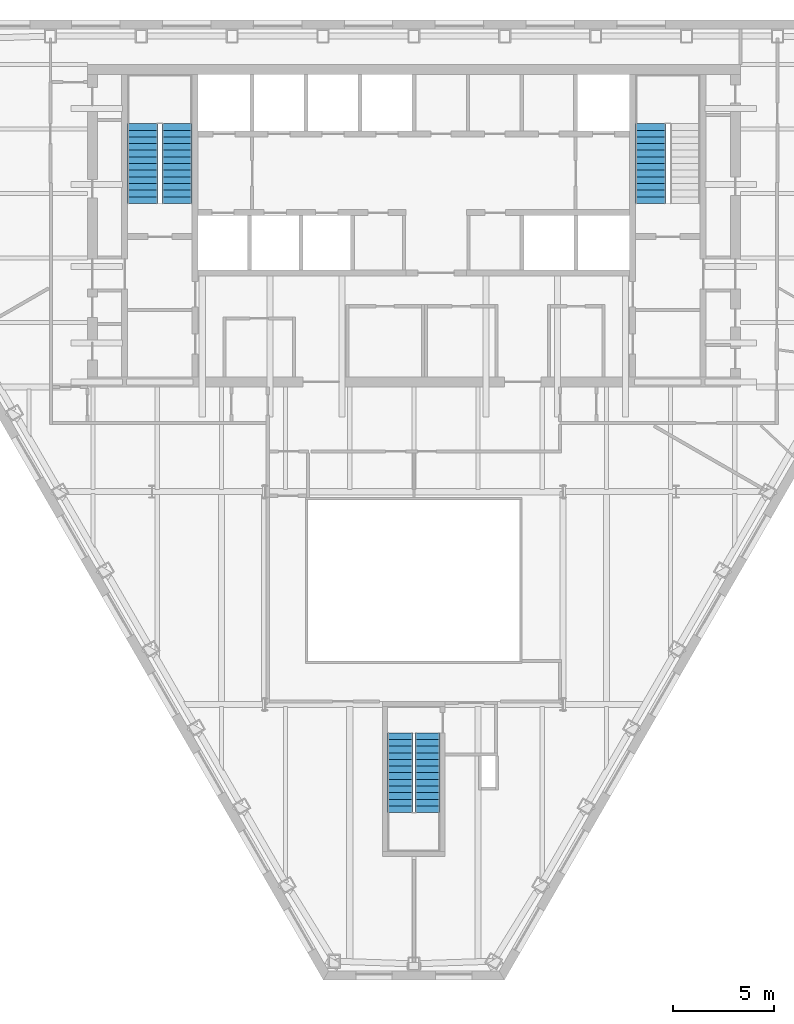
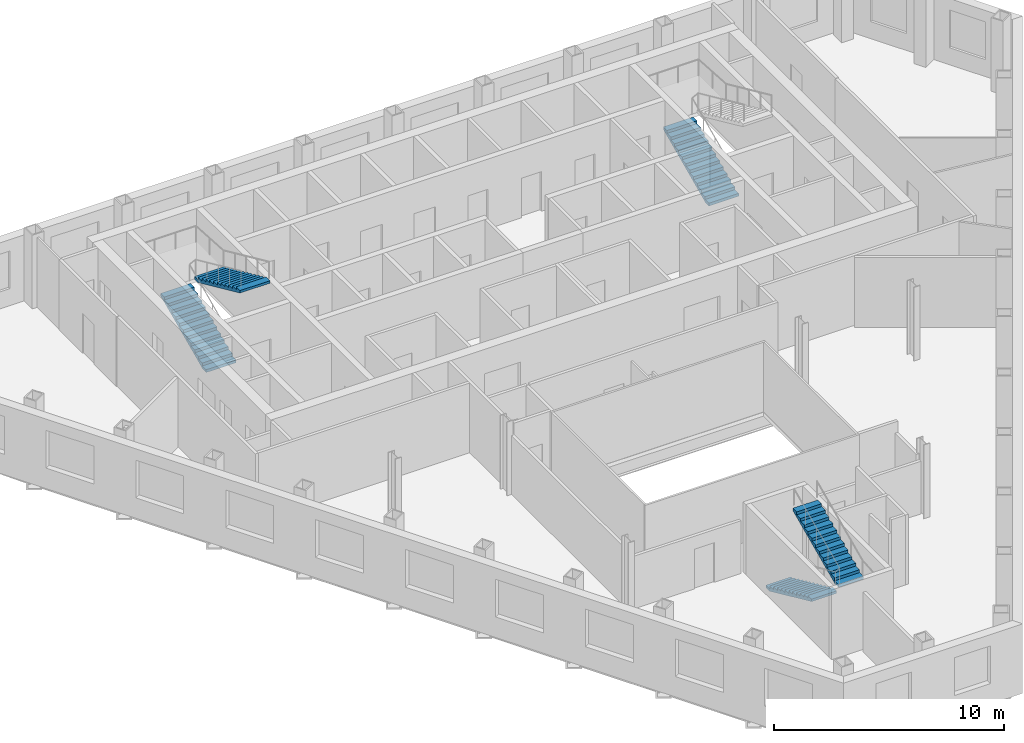
# One storey, part 9 of 11: 5 stair flights, 3 elements without a shape of their own.
"""IFC4 building model written with IfcOpenShell, lengths in metres."""

import ifcopenshell
import ifcopenshell.guid

model = None  # the IFC model being written
_history = None  # IfcOwnerHistory: only IFC2X3 demands one
_inside = {}  # id of a spatial element -> (the spatial element, [elements in it])
_under = {}  # id of a project, library or spatial element -> (it, [spatial elements below it])
_declared = {}  # id of a project -> (the project, [libraries it declares])
_typed = {}  # id of a type object -> (the type object, [elements of that type])
_made_of = {}  # id of a material, layer set ... -> (it, [elements and type objects made of it])


def new_model(schema):
    """Start an empty IFC model of exactly this schema.

    Asked for "IFC4X3", IfcOpenShell would pick the latest addendum, in which some entities
    have other attributes; the version numbers below select the first issue.
    IFC2X3 requires an IfcOwnerHistory on every rooted entity: one is made here for all.
    """
    global model, _history
    if schema == "IFC4X3":
        model = ifcopenshell.file(schema_version=(4, 3, 0, 0))
    else:
        model = ifcopenshell.file(schema=schema)
    _inside.clear()
    _under.clear()
    _declared.clear()
    _typed.clear()
    _made_of.clear()
    _history = None
    if model.schema == "IFC2X3":
        org = make("IfcOrganization", Name="unknown")
        user = make(
            "IfcPersonAndOrganization",
            ThePerson=make("IfcPerson", FamilyName="unknown"),
            TheOrganization=org,
        )
        app = make(
            "IfcApplication",
            ApplicationDeveloper=org,
            Version="unknown",
            ApplicationFullName="unknown",
            ApplicationIdentifier="unknown",
        )
        _history = make(
            "IfcOwnerHistory",
            OwningUser=user,
            OwningApplication=app,
            ChangeAction="ADDED",
            CreationDate=0,
        )
    return model


def make(cls, **values):
    """One entity of the class cls with the attributes given. An attribute that is None is left unset."""
    return model.create_entity(
        cls, **{name: value for name, value in values.items() if value is not None}
    )


def rooted(cls, **values):
    """An entity with a GlobalId (a new one), such as an element, a storey or a relation."""
    return make(cls, GlobalId=ifcopenshell.guid.new(), OwnerHistory=_history, **values)


def si_unit(unit_type, name, prefix=None):
    """IfcSIUnit, for example si_unit("LENGTHUNIT", "METRE", prefix="MILLI")."""
    return make("IfcSIUnit", UnitType=unit_type, Prefix=prefix, Name=name)


def assignment(units):
    """IfcUnitAssignment: the units of a project."""
    return None if units is None else make("IfcUnitAssignment", Units=units)


def point(xyz):
    """IfcCartesianPoint."""
    return None if xyz is None else make("IfcCartesianPoint", Coordinates=xyz)


def direction(xyz):
    """IfcDirection."""
    return None if xyz is None else make("IfcDirection", DirectionRatios=xyz)


def frame(location, z_axis=None, x_axis=None):
    """IfcAxis2Placement3D, a coordinate frame: its origin and axes. An axis left out is left unset."""
    return make(
        "IfcAxis2Placement3D",
        Location=point(location),
        Axis=direction(z_axis),
        RefDirection=direction(x_axis),
    )


def origin():
    """The frame at (0, 0, 0) with its axes left unset."""
    return frame((0.0, 0.0, 0.0))


def place(relative_to, where):
    """IfcLocalPlacement: puts the frame where relative to a parent placement (None: the world)."""
    return make(
        "IfcLocalPlacement", PlacementRelTo=relative_to, RelativePlacement=where
    )


def context(
    kind, dimensions, precision=None, world=None, true_north=None, identifier=None
):
    """IfcGeometricRepresentationContext, for example the 3D "Model" context."""
    return make(
        "IfcGeometricRepresentationContext",
        ContextIdentifier=identifier,
        ContextType=kind,
        CoordinateSpaceDimension=dimensions,
        Precision=precision,
        WorldCoordinateSystem=world,
        TrueNorth=true_north,
    )


def subcontext(parent, identifier, kind, view, scale=None):
    """IfcGeometricRepresentationSubContext, for example "Body" below "Model"."""
    return make(
        "IfcGeometricRepresentationSubContext",
        ContextIdentifier=identifier,
        ContextType=kind,
        ParentContext=parent,
        TargetScale=scale,
        TargetView=view,
    )


def project(units=None, contexts=None):
    """IfcProject with its units and contexts."""
    return rooted(
        "IfcProject",
        Name="project",
        RepresentationContexts=contexts,
        UnitsInContext=assignment(units),
    )


def spatial(cls, under=None, at=None, **own):
    """A site, building, storey or space (cls), placed at a placement, below another one or the project."""
    s = rooted(cls, ObjectPlacement=at, **own)
    if under is not None:
        _under.setdefault(under.id(), (under, []))[1].append(s)
    return s


def point_list(points):
    """IfcCartesianPointList2D or 3D."""
    cls = (
        "IfcCartesianPointList2D" if len(points[0]) == 2 else "IfcCartesianPointList3D"
    )
    return make(cls, CoordList=points)


def polygons(points, faces, closed=None, point_numbers=None):
    """IfcPolygonalFaceSet: a face is its outer loop, then its inner loops; points numbered from 1."""
    made = []
    for loops in faces:
        if len(loops) == 1:
            made.append(make("IfcIndexedPolygonalFace", CoordIndex=loops[0]))
        else:
            made.append(
                make(
                    "IfcIndexedPolygonalFaceWithVoids",
                    CoordIndex=loops[0],
                    InnerCoordIndices=loops[1:],
                )
            )
    return make(
        "IfcPolygonalFaceSet",
        Coordinates=point_list(points),
        Closed=closed,
        Faces=made,
        PnIndex=point_numbers,
    )


def shape(context_of_items, identifier, shape_type, items):
    """IfcShapeRepresentation: the items that make up one representation, for example the "Body"."""
    return make(
        "IfcShapeRepresentation",
        ContextOfItems=context_of_items,
        RepresentationIdentifier=identifier,
        RepresentationType=shape_type,
        Items=items,
    )


def material(Name=None, Category=None):
    """IfcMaterial."""
    return make("IfcMaterial", Name=Name, Category=Category)


def made_of(thing, what):
    """Note that an element or type object is made of a material, layer set ...; save() writes the relation."""
    if what is not None:
        _made_of.setdefault(what.id(), (what, []))[1].append(thing)
    return thing


def type_object(cls, material=None, **own):
    """A type object (cls), such as IfcWallType, which elements share."""
    return made_of(rooted(cls, **own), material)


def element(
    cls,
    number,
    at=None,
    inside=None,
    cuts=None,
    type_object=None,
    material=None,
    context=None,
    identifier="Body",
    shape_type=None,
    held_by="IfcProductDefinitionShape",
    body=None,
    shapes=None,
    **own,
):
    """One element of the class cls, such as IfcWall. Its Tag is "e" and its number.

    at: its placement. inside: the storey or other place that contains it. cuts: it is an
    opening in that element (IfcRelVoidsElement). A single representation is given by context,
    identifier, shape_type and body (its items); several are given by shapes. held_by: the class
    of the entity that holds the representations. save() writes the other relations.
    """
    e = rooted(cls, Tag="e%d" % number, ObjectPlacement=at, **own)
    if body is not None:
        shapes = [shape(context, identifier, shape_type, body)]
    if shapes is not None:
        e.Representation = make(held_by, Representations=shapes)
    if inside is not None:
        _inside.setdefault(inside.id(), (inside, []))[1].append(e)
    if cuts is not None:
        rooted(
            "IfcRelVoidsElement", RelatingBuildingElement=cuts, RelatedOpeningElement=e
        )
    if type_object is not None:
        _typed.setdefault(type_object.id(), (type_object, []))[1].append(e)
    return made_of(e, material)


def aggregate(whole, parts):
    """IfcRelAggregates: a whole, such as a stair, and the parts it consists of."""
    return rooted("IfcRelAggregates", RelatingObject=whole, RelatedObjects=parts)


def save(model, path):
    """Write the relations noted so far, then the file.

    IfcRelAggregates (storeys below a building ...), IfcRelContainedInSpatialStructure (elements
    in a storey), IfcRelDefinesByType, IfcRelAssociatesMaterial and IfcRelDeclares: one each for
    every whole, place, type object, material and project.
    """
    for whole, parts in _under.values():
        aggregate(whole, parts)
    for where, things in _inside.values():
        rooted(
            "IfcRelContainedInSpatialStructure",
            RelatedElements=things,
            RelatingStructure=where,
        )
    for kind, things in _typed.values():
        rooted("IfcRelDefinesByType", RelatedObjects=things, RelatingType=kind)
    for what, things in _made_of.values():
        rooted("IfcRelAssociatesMaterial", RelatedObjects=things, RelatingMaterial=what)
    for by, libraries in _declared.values():
        rooted("IfcRelDeclares", RelatingContext=by, RelatedDefinitions=libraries)
    model.write(path)


model = new_model("IFC4")

# Units and contexts
model_context = context("Model", 3, precision=1e-05, world=origin(), true_north=direction((0.0, 1.0)))
body_context = subcontext(model_context, "Body", "Model", "MODEL_VIEW")
ifc_project = project(units=[si_unit("LENGTHUNIT", "METRE"), si_unit("AREAUNIT", "SQUARE_METRE"), si_unit("VOLUMEUNIT", "CUBIC_METRE"), si_unit("PLANEANGLEUNIT", "RADIAN"), si_unit("MASSUNIT", "GRAM", prefix="KILO")], contexts=[model_context])

# Site, building, storey
site_placement = place(None, origin())
site = spatial("IfcSite", under=ifc_project, at=site_placement, CompositionType="ELEMENT")
building_placement = place(site_placement, origin())
building = spatial("IfcBuilding", under=site, at=building_placement, Name="Njiva Tower", CompositionType="ELEMENT")
storey_placement = place(building_placement, frame((0.0, 0.0, 139.8)))
storey = spatial("IfcBuildingStorey", under=building, at=storey_placement, Name="L29", CompositionType="ELEMENT", Elevation=139.8)

# Stair, stair flights
ifc_material = material(Name="Concrete C40/50", Category="concrete")
stair_type_1 = type_object("IfcStairType", Name="ST1 Exit stair 1250", PredefinedType="HALF_TURN_STAIR", material=ifc_material)
stair_1_placement = place(storey_placement, origin())
stair_1 = element("IfcStair", 1, at=stair_1_placement, inside=storey, type_object=stair_type_1, Name="Stair C", PredefinedType="HALF_TURN_STAIR")
stair_flight_type_1 = type_object("IfcStairFlightType", Name="FL1 Stair flight 1250", PredefinedType="STRAIGHT", material=ifc_material)
stair_flight_1_placement = place(storey_placement, frame((-0.675, -15.16, 0.0), z_axis=(0.0, 0.0, 1.0), x_axis=(0.0, -1.0, 0.0)))
stair_flight_1 = element("IfcStairFlight", 2, at=stair_flight_1_placement, type_object=stair_flight_type_1, Name="ST-C flight 1", NumberOfRisers=13, NumberOfTreads=12, PredefinedType="STRAIGHT", RiserHeight=0.15, TreadLength=0.33, context=body_context, shape_type="Tessellation", body=[
    polygons([(0.0, 0.625, 0.0), (0.0, 0.3125, 0.0), (0.0, 0.0, 0.0), (0.0, -0.3125, 0.0), (0.0, -0.625, 0.0), (0.0, 0.625, 0.15), (0.0, 0.3125, 0.15), (0.0, 0.0, 0.15), (0.0, -0.3125, 0.15), (0.0, -0.625, 0.15), (0.33, 0.625, 0.15), (0.33, 0.3125, 0.15), (0.33, 0.0, 0.15), (0.33, -0.3125, 0.15), (0.33, -0.625, 0.15), (0.33, 0.625, 0.3), (0.33, 0.3125, 0.3), (0.33, 0.0, 0.3), (0.33, -0.3125, 0.3), (0.33, -0.625, 0.3), (0.66, 0.625, 0.3), (0.66, 0.3125, 0.3), (0.66, 0.0, 0.3), (0.66, -0.3125, 0.3), (0.66, -0.625, 0.3), (0.66, 0.625, 0.45), (0.66, 0.3125, 0.45), (0.66, 0.0, 0.45), (0.66, -0.3125, 0.45), (0.66, -0.625, 0.45), (0.99, 0.625, 0.45), (0.99, 0.3125, 0.45), (0.99, 0.0, 0.45), (0.99, -0.3125, 0.45), (0.99, -0.625, 0.45), (0.99, 0.625, 0.6), (0.99, 0.3125, 0.6), (0.99, 0.0, 0.6), (0.99, -0.3125, 0.6), (0.99, -0.625, 0.6), (1.32, 0.625, 0.6), (1.32, 0.3125, 0.6), (1.32, 0.0, 0.6), (1.32, -0.3125, 0.6), (1.32, -0.625, 0.6), (1.32, 0.625, 0.75), (1.32, 0.3125, 0.75), (1.32, 0.0, 0.75), (1.32, -0.3125, 0.75), (1.32, -0.625, 0.75), (1.65, 0.625, 0.75), (1.65, 0.3125, 0.75), (1.65, 0.0, 0.75), (1.65, -0.3125, 0.75), (1.65, -0.625, 0.75), (1.65, 0.625, 0.9), (1.65, 0.3125, 0.9), (1.65, 0.0, 0.9), (1.65, -0.3125, 0.9), (1.65, -0.625, 0.9), (1.98, 0.625, 0.9), (1.98, 0.3125, 0.9), (1.98, 0.0, 0.9), (1.98, -0.3125, 0.9), (1.98, -0.625, 0.9), (1.98, 0.625, 1.05), (1.98, 0.3125, 1.05), (1.98, 0.0, 1.05), (1.98, -0.3125, 1.05), (1.98, -0.625, 1.05), (2.31, 0.625, 1.05), (2.31, 0.3125, 1.05), (2.31, 0.0, 1.05), (2.31, -0.3125, 1.05), (2.31, -0.625, 1.05), (2.31, 0.625, 1.2), (2.31, 0.3125, 1.2), (2.31, 0.0, 1.2), (2.31, -0.3125, 1.2), (2.31, -0.625, 1.2), (2.64, 0.625, 1.2), (2.64, 0.3125, 1.2), (2.64, 0.0, 1.2), (2.64, -0.3125, 1.2), (2.64, -0.625, 1.2), (2.64, 0.625, 1.35), (2.64, 0.3125, 1.35), (2.64, 0.0, 1.35), (2.64, -0.3125, 1.35), (2.64, -0.625, 1.35), (2.97, 0.625, 1.35), (2.97, 0.3125, 1.35), (2.97, 0.0, 1.35), (2.97, -0.3125, 1.35), (2.97, -0.625, 1.35), (2.97, 0.625, 1.5), (2.97, 0.3125, 1.5), (2.97, 0.0, 1.5), (2.97, -0.3125, 1.5), (2.97, -0.625, 1.5), (3.3, 0.625, 1.5), (3.3, 0.3125, 1.5), (3.3, 0.0, 1.5), (3.3, -0.3125, 1.5), (3.3, -0.625, 1.5), (3.3, 0.625, 1.65), (3.3, 0.3125, 1.65), (3.3, 0.0, 1.65), (3.3, -0.3125, 1.65), (3.3, -0.625, 1.65), (3.63, 0.625, 1.65), (3.63, 0.3125, 1.65), (3.63, 0.0, 1.65), (3.63, -0.3125, 1.65), (3.63, -0.625, 1.65), (3.63, 0.625, 1.8), (3.63, 0.3125, 1.8), (3.63, 0.0, 1.8), (3.63, -0.3125, 1.8), (3.63, -0.625, 1.8), (3.96, 0.625, 1.8), (3.96, 0.3125, 1.8), (3.96, 0.0, 1.8), (3.96, -0.3125, 1.8), (3.96, -0.625, 1.8), (3.96, 0.625, 1.6682), (3.96, 0.3125, 1.6682), (3.96, 0.0, 1.6682), (3.96, -0.3125, 1.6682), (3.96, -0.625, 1.6682), (0.29, 0.625, 0.0), (0.29, 0.3125, 0.0), (0.29, 0.0, 0.0), (0.29, -0.3125, 0.0), (0.29, -0.625, 0.0)], [[[1, 6, 11, 16, 21, 26, 31, 36, 41, 46, 51, 56, 61, 66, 71, 76, 81, 86, 91, 96, 101, 106, 111, 116, 121, 126, 131]], [[135, 130, 125, 120, 115, 110, 105, 100, 95, 90, 85, 80, 75, 70, 65, 60, 55, 50, 45, 40, 35, 30, 25, 20, 15, 10, 5]], [[6, 1, 2, 7]], [[7, 2, 3, 8]], [[8, 3, 4, 9]], [[9, 4, 5, 10]], [[11, 6, 7, 12]], [[12, 7, 8, 13]], [[13, 8, 9, 14]], [[14, 9, 10, 15]], [[16, 11, 12, 17]], [[17, 12, 13, 18]], [[18, 13, 14, 19]], [[19, 14, 15, 20]], [[21, 16, 17, 22]], [[22, 17, 18, 23]], [[23, 18, 19, 24]], [[24, 19, 20, 25]], [[26, 21, 22, 27]], [[27, 22, 23, 28]], [[28, 23, 24, 29]], [[29, 24, 25, 30]], [[31, 26, 27, 32]], [[32, 27, 28, 33]], [[33, 28, 29, 34]], [[34, 29, 30, 35]], [[36, 31, 32, 37]], [[37, 32, 33, 38]], [[38, 33, 34, 39]], [[39, 34, 35, 40]], [[41, 36, 37, 42]], [[42, 37, 38, 43]], [[43, 38, 39, 44]], [[44, 39, 40, 45]], [[46, 41, 42, 47]], [[47, 42, 43, 48]], [[48, 43, 44, 49]], [[49, 44, 45, 50]], [[51, 46, 47, 52]], [[52, 47, 48, 53]], [[53, 48, 49, 54]], [[54, 49, 50, 55]], [[56, 51, 52, 57]], [[57, 52, 53, 58]], [[58, 53, 54, 59]], [[59, 54, 55, 60]], [[61, 56, 57, 62]], [[62, 57, 58, 63]], [[63, 58, 59, 64]], [[64, 59, 60, 65]], [[66, 61, 62, 67]], [[67, 62, 63, 68]], [[68, 63, 64, 69]], [[69, 64, 65, 70]], [[71, 66, 67, 72]], [[72, 67, 68, 73]], [[73, 68, 69, 74]], [[74, 69, 70, 75]], [[76, 71, 72, 77]], [[77, 72, 73, 78]], [[78, 73, 74, 79]], [[79, 74, 75, 80]], [[81, 76, 77, 82]], [[82, 77, 78, 83]], [[83, 78, 79, 84]], [[84, 79, 80, 85]], [[86, 81, 82, 87]], [[87, 82, 83, 88]], [[88, 83, 84, 89]], [[89, 84, 85, 90]], [[91, 86, 87, 92]], [[92, 87, 88, 93]], [[93, 88, 89, 94]], [[94, 89, 90, 95]], [[96, 91, 92, 97]], [[97, 92, 93, 98]], [[98, 93, 94, 99]], [[99, 94, 95, 100]], [[101, 96, 97, 102]], [[102, 97, 98, 103]], [[103, 98, 99, 104]], [[104, 99, 100, 105]], [[106, 101, 102, 107]], [[107, 102, 103, 108]], [[108, 103, 104, 109]], [[109, 104, 105, 110]], [[111, 106, 107, 112]], [[112, 107, 108, 113]], [[113, 108, 109, 114]], [[114, 109, 110, 115]], [[116, 111, 112, 117]], [[117, 112, 113, 118]], [[118, 113, 114, 119]], [[119, 114, 115, 120]], [[121, 116, 117, 122]], [[122, 117, 118, 123]], [[123, 118, 119, 124]], [[124, 119, 120, 125]], [[126, 121, 122, 127]], [[127, 122, 123, 128]], [[128, 123, 124, 129]], [[129, 124, 125, 130]], [[131, 126, 127, 132]], [[132, 127, 128, 133]], [[133, 128, 129, 134]], [[134, 129, 130, 135]], [[1, 131, 132, 2]], [[2, 132, 133, 3]], [[3, 133, 134, 4]], [[4, 134, 135, 5]]], closed=True),
])
stair_flight_2_placement = place(storey_placement, frame((0.675, -19.12, 1.95), z_axis=(0.0, 0.0, 1.0), x_axis=(0.0, 1.0, 0.0)))
stair_flight_2 = element("IfcStairFlight", 3, at=stair_flight_2_placement, type_object=stair_flight_type_1, Name="ST-C flight 2", NumberOfRisers=13, NumberOfTreads=12, PredefinedType="STRAIGHT", RiserHeight=0.15, TreadLength=0.33, context=body_context, shape_type="Tessellation", body=[
    polygons([(0.0, 0.625, 0.0), (0.0, 0.3125, 0.0), (0.0, 0.0, 0.0), (0.0, -0.3125, 0.0), (0.0, -0.625, 0.0), (0.0, 0.625, 0.15), (0.0, 0.3125, 0.15), (0.0, 0.0, 0.15), (0.0, -0.3125, 0.15), (0.0, -0.625, 0.15), (0.33, 0.625, 0.15), (0.33, 0.3125, 0.15), (0.33, 0.0, 0.15), (0.33, -0.3125, 0.15), (0.33, -0.625, 0.15), (0.33, 0.625, 0.3), (0.33, 0.3125, 0.3), (0.33, 0.0, 0.3), (0.33, -0.3125, 0.3), (0.33, -0.625, 0.3), (0.66, 0.625, 0.3), (0.66, 0.3125, 0.3), (0.66, 0.0, 0.3), (0.66, -0.3125, 0.3), (0.66, -0.625, 0.3), (0.66, 0.625, 0.45), (0.66, 0.3125, 0.45), (0.66, 0.0, 0.45), (0.66, -0.3125, 0.45), (0.66, -0.625, 0.45), (0.99, 0.625, 0.45), (0.99, 0.3125, 0.45), (0.99, 0.0, 0.45), (0.99, -0.3125, 0.45), (0.99, -0.625, 0.45), (0.99, 0.625, 0.6), (0.99, 0.3125, 0.6), (0.99, 0.0, 0.6), (0.99, -0.3125, 0.6), (0.99, -0.625, 0.6), (1.32, 0.625, 0.6), (1.32, 0.3125, 0.6), (1.32, 0.0, 0.6), (1.32, -0.3125, 0.6), (1.32, -0.625, 0.6), (1.32, 0.625, 0.75), (1.32, 0.3125, 0.75), (1.32, 0.0, 0.75), (1.32, -0.3125, 0.75), (1.32, -0.625, 0.75), (1.65, 0.625, 0.75), (1.65, 0.3125, 0.75), (1.65, 0.0, 0.75), (1.65, -0.3125, 0.75), (1.65, -0.625, 0.75), (1.65, 0.625, 0.9), (1.65, 0.3125, 0.9), (1.65, 0.0, 0.9), (1.65, -0.3125, 0.9), (1.65, -0.625, 0.9), (1.98, 0.625, 0.9), (1.98, 0.3125, 0.9), (1.98, 0.0, 0.9), (1.98, -0.3125, 0.9), (1.98, -0.625, 0.9), (1.98, 0.625, 1.05), (1.98, 0.3125, 1.05), (1.98, 0.0, 1.05), (1.98, -0.3125, 1.05), (1.98, -0.625, 1.05), (2.31, 0.625, 1.05), (2.31, 0.3125, 1.05), (2.31, 0.0, 1.05), (2.31, -0.3125, 1.05), (2.31, -0.625, 1.05), (2.31, 0.625, 1.2), (2.31, 0.3125, 1.2), (2.31, 0.0, 1.2), (2.31, -0.3125, 1.2), (2.31, -0.625, 1.2), (2.64, 0.625, 1.2), (2.64, 0.3125, 1.2), (2.64, 0.0, 1.2), (2.64, -0.3125, 1.2), (2.64, -0.625, 1.2), (2.64, 0.625, 1.35), (2.64, 0.3125, 1.35), (2.64, 0.0, 1.35), (2.64, -0.3125, 1.35), (2.64, -0.625, 1.35), (2.97, 0.625, 1.35), (2.97, 0.3125, 1.35), (2.97, 0.0, 1.35), (2.97, -0.3125, 1.35), (2.97, -0.625, 1.35), (2.97, 0.625, 1.5), (2.97, 0.3125, 1.5), (2.97, 0.0, 1.5), (2.97, -0.3125, 1.5), (2.97, -0.625, 1.5), (3.3, 0.625, 1.5), (3.3, 0.3125, 1.5), (3.3, 0.0, 1.5), (3.3, -0.3125, 1.5), (3.3, -0.625, 1.5), (3.3, 0.625, 1.65), (3.3, 0.3125, 1.65), (3.3, 0.0, 1.65), (3.3, -0.3125, 1.65), (3.3, -0.625, 1.65), (3.63, 0.625, 1.65), (3.63, 0.3125, 1.65), (3.63, 0.0, 1.65), (3.63, -0.3125, 1.65), (3.63, -0.625, 1.65), (3.63, 0.625, 1.8), (3.63, 0.3125, 1.8), (3.63, 0.0, 1.8), (3.63, -0.3125, 1.8), (3.63, -0.625, 1.8), (3.96, 0.625, 1.8), (3.96, 0.3125, 1.8), (3.96, 0.0, 1.8), (3.96, -0.3125, 1.8), (3.96, -0.625, 1.8), (3.96, 0.625, 1.6682), (3.96, 0.3125, 1.6682), (3.96, 0.0, 1.6682), (3.96, -0.3125, 1.6682), (3.96, -0.625, 1.6682), (0.29, 0.625, 0.0), (0.29, 0.3125, 0.0), (0.29, 0.0, 0.0), (0.29, -0.3125, 0.0), (0.29, -0.625, 0.0)], [[[1, 6, 11, 16, 21, 26, 31, 36, 41, 46, 51, 56, 61, 66, 71, 76, 81, 86, 91, 96, 101, 106, 111, 116, 121, 126, 131]], [[135, 130, 125, 120, 115, 110, 105, 100, 95, 90, 85, 80, 75, 70, 65, 60, 55, 50, 45, 40, 35, 30, 25, 20, 15, 10, 5]], [[6, 1, 2, 7]], [[7, 2, 3, 8]], [[8, 3, 4, 9]], [[9, 4, 5, 10]], [[11, 6, 7, 12]], [[12, 7, 8, 13]], [[13, 8, 9, 14]], [[14, 9, 10, 15]], [[16, 11, 12, 17]], [[17, 12, 13, 18]], [[18, 13, 14, 19]], [[19, 14, 15, 20]], [[21, 16, 17, 22]], [[22, 17, 18, 23]], [[23, 18, 19, 24]], [[24, 19, 20, 25]], [[26, 21, 22, 27]], [[27, 22, 23, 28]], [[28, 23, 24, 29]], [[29, 24, 25, 30]], [[31, 26, 27, 32]], [[32, 27, 28, 33]], [[33, 28, 29, 34]], [[34, 29, 30, 35]], [[36, 31, 32, 37]], [[37, 32, 33, 38]], [[38, 33, 34, 39]], [[39, 34, 35, 40]], [[41, 36, 37, 42]], [[42, 37, 38, 43]], [[43, 38, 39, 44]], [[44, 39, 40, 45]], [[46, 41, 42, 47]], [[47, 42, 43, 48]], [[48, 43, 44, 49]], [[49, 44, 45, 50]], [[51, 46, 47, 52]], [[52, 47, 48, 53]], [[53, 48, 49, 54]], [[54, 49, 50, 55]], [[56, 51, 52, 57]], [[57, 52, 53, 58]], [[58, 53, 54, 59]], [[59, 54, 55, 60]], [[61, 56, 57, 62]], [[62, 57, 58, 63]], [[63, 58, 59, 64]], [[64, 59, 60, 65]], [[66, 61, 62, 67]], [[67, 62, 63, 68]], [[68, 63, 64, 69]], [[69, 64, 65, 70]], [[71, 66, 67, 72]], [[72, 67, 68, 73]], [[73, 68, 69, 74]], [[74, 69, 70, 75]], [[76, 71, 72, 77]], [[77, 72, 73, 78]], [[78, 73, 74, 79]], [[79, 74, 75, 80]], [[81, 76, 77, 82]], [[82, 77, 78, 83]], [[83, 78, 79, 84]], [[84, 79, 80, 85]], [[86, 81, 82, 87]], [[87, 82, 83, 88]], [[88, 83, 84, 89]], [[89, 84, 85, 90]], [[91, 86, 87, 92]], [[92, 87, 88, 93]], [[93, 88, 89, 94]], [[94, 89, 90, 95]], [[96, 91, 92, 97]], [[97, 92, 93, 98]], [[98, 93, 94, 99]], [[99, 94, 95, 100]], [[101, 96, 97, 102]], [[102, 97, 98, 103]], [[103, 98, 99, 104]], [[104, 99, 100, 105]], [[106, 101, 102, 107]], [[107, 102, 103, 108]], [[108, 103, 104, 109]], [[109, 104, 105, 110]], [[111, 106, 107, 112]], [[112, 107, 108, 113]], [[113, 108, 109, 114]], [[114, 109, 110, 115]], [[116, 111, 112, 117]], [[117, 112, 113, 118]], [[118, 113, 114, 119]], [[119, 114, 115, 120]], [[121, 116, 117, 122]], [[122, 117, 118, 123]], [[123, 118, 119, 124]], [[124, 119, 120, 125]], [[126, 121, 122, 127]], [[127, 122, 123, 128]], [[128, 123, 124, 129]], [[129, 124, 125, 130]], [[131, 126, 127, 132]], [[132, 127, 128, 133]], [[133, 128, 129, 134]], [[134, 129, 130, 135]], [[1, 131, 132, 2]], [[2, 132, 133, 3]], [[3, 133, 134, 4]], [[4, 134, 135, 5]]], closed=True),
])
aggregate(stair_1, [stair_flight_1, stair_flight_2])

stair_type_2 = type_object("IfcStairType", Name="ST4 Exit stair 1500", PredefinedType="HALF_TURN_STAIR", material=ifc_material)
stair_2_placement = place(storey_placement, origin())
stair_2 = element("IfcStair", 4, at=stair_2_placement, inside=storey, type_object=stair_type_2, Name="Stair A", PredefinedType="HALF_TURN_STAIR")
stair_flight_type_2 = type_object("IfcStairFlightType", Name="FL4 Stair flight 1500", PredefinedType="STRAIGHT", material=ifc_material)
stair_flight_3_placement = place(storey_placement, frame((-13.45, 11.1, 0.0), z_axis=(0.0, 0.0, 1.0), x_axis=(0.0, 1.0, 0.0)))
stair_flight_3 = element("IfcStairFlight", 5, at=stair_flight_3_placement, type_object=stair_flight_type_2, Name="ST-A flight 1", NumberOfRisers=13, NumberOfTreads=12, PredefinedType="STRAIGHT", RiserHeight=0.15, TreadLength=0.33, context=body_context, shape_type="Tessellation", body=[
    polygons([(0.0, 0.75, 0.0), (0.0, 0.375, 0.0), (0.0, 0.0, 0.0), (0.0, -0.375, 0.0), (0.0, -0.75, 0.0), (0.0, 0.75, 0.15), (0.0, 0.375, 0.15), (0.0, 0.0, 0.15), (0.0, -0.375, 0.15), (0.0, -0.75, 0.15), (0.33, 0.75, 0.15), (0.33, 0.375, 0.15), (0.33, 0.0, 0.15), (0.33, -0.375, 0.15), (0.33, -0.75, 0.15), (0.33, 0.75, 0.3), (0.33, 0.375, 0.3), (0.33, 0.0, 0.3), (0.33, -0.375, 0.3), (0.33, -0.75, 0.3), (0.66, 0.75, 0.3), (0.66, 0.375, 0.3), (0.66, 0.0, 0.3), (0.66, -0.375, 0.3), (0.66, -0.75, 0.3), (0.66, 0.75, 0.45), (0.66, 0.375, 0.45), (0.66, 0.0, 0.45), (0.66, -0.375, 0.45), (0.66, -0.75, 0.45), (0.99, 0.75, 0.45), (0.99, 0.375, 0.45), (0.99, 0.0, 0.45), (0.99, -0.375, 0.45), (0.99, -0.75, 0.45), (0.99, 0.75, 0.6), (0.99, 0.375, 0.6), (0.99, 0.0, 0.6), (0.99, -0.375, 0.6), (0.99, -0.75, 0.6), (1.32, 0.75, 0.6), (1.32, 0.375, 0.6), (1.32, 0.0, 0.6), (1.32, -0.375, 0.6), (1.32, -0.75, 0.6), (1.32, 0.75, 0.75), (1.32, 0.375, 0.75), (1.32, 0.0, 0.75), (1.32, -0.375, 0.75), (1.32, -0.75, 0.75), (1.65, 0.75, 0.75), (1.65, 0.375, 0.75), (1.65, 0.0, 0.75), (1.65, -0.375, 0.75), (1.65, -0.75, 0.75), (1.65, 0.75, 0.9), (1.65, 0.375, 0.9), (1.65, 0.0, 0.9), (1.65, -0.375, 0.9), (1.65, -0.75, 0.9), (1.98, 0.75, 0.9), (1.98, 0.375, 0.9), (1.98, 0.0, 0.9), (1.98, -0.375, 0.9), (1.98, -0.75, 0.9), (1.98, 0.75, 1.05), (1.98, 0.375, 1.05), (1.98, 0.0, 1.05), (1.98, -0.375, 1.05), (1.98, -0.75, 1.05), (2.31, 0.75, 1.05), (2.31, 0.375, 1.05), (2.31, 0.0, 1.05), (2.31, -0.375, 1.05), (2.31, -0.75, 1.05), (2.31, 0.75, 1.2), (2.31, 0.375, 1.2), (2.31, 0.0, 1.2), (2.31, -0.375, 1.2), (2.31, -0.75, 1.2), (2.64, 0.75, 1.2), (2.64, 0.375, 1.2), (2.64, 0.0, 1.2), (2.64, -0.375, 1.2), (2.64, -0.75, 1.2), (2.64, 0.75, 1.35), (2.64, 0.375, 1.35), (2.64, 0.0, 1.35), (2.64, -0.375, 1.35), (2.64, -0.75, 1.35), (2.97, 0.75, 1.35), (2.97, 0.375, 1.35), (2.97, 0.0, 1.35), (2.97, -0.375, 1.35), (2.97, -0.75, 1.35), (2.97, 0.75, 1.5), (2.97, 0.375, 1.5), (2.97, 0.0, 1.5), (2.97, -0.375, 1.5), (2.97, -0.75, 1.5), (3.3, 0.75, 1.5), (3.3, 0.375, 1.5), (3.3, 0.0, 1.5), (3.3, -0.375, 1.5), (3.3, -0.75, 1.5), (3.3, 0.75, 1.65), (3.3, 0.375, 1.65), (3.3, 0.0, 1.65), (3.3, -0.375, 1.65), (3.3, -0.75, 1.65), (3.63, 0.75, 1.65), (3.63, 0.375, 1.65), (3.63, 0.0, 1.65), (3.63, -0.375, 1.65), (3.63, -0.75, 1.65), (3.63, 0.75, 1.8), (3.63, 0.375, 1.8), (3.63, 0.0, 1.8), (3.63, -0.375, 1.8), (3.63, -0.75, 1.8), (3.96, 0.75, 1.8), (3.96, 0.375, 1.8), (3.96, 0.0, 1.8), (3.96, -0.375, 1.8), (3.96, -0.75, 1.8), (3.96, 0.75, 1.6682), (3.96, 0.375, 1.6682), (3.96, 0.0, 1.6682), (3.96, -0.375, 1.6682), (3.96, -0.75, 1.6682), (0.29, 0.75, 0.0), (0.29, 0.375, 0.0), (0.29, 0.0, 0.0), (0.29, -0.375, 0.0), (0.29, -0.75, 0.0)], [[[1, 6, 11, 16, 21, 26, 31, 36, 41, 46, 51, 56, 61, 66, 71, 76, 81, 86, 91, 96, 101, 106, 111, 116, 121, 126, 131]], [[135, 130, 125, 120, 115, 110, 105, 100, 95, 90, 85, 80, 75, 70, 65, 60, 55, 50, 45, 40, 35, 30, 25, 20, 15, 10, 5]], [[6, 1, 2, 7]], [[7, 2, 3, 8]], [[8, 3, 4, 9]], [[9, 4, 5, 10]], [[11, 6, 7, 12]], [[12, 7, 8, 13]], [[13, 8, 9, 14]], [[14, 9, 10, 15]], [[16, 11, 12, 17]], [[17, 12, 13, 18]], [[18, 13, 14, 19]], [[19, 14, 15, 20]], [[21, 16, 17, 22]], [[22, 17, 18, 23]], [[23, 18, 19, 24]], [[24, 19, 20, 25]], [[26, 21, 22, 27]], [[27, 22, 23, 28]], [[28, 23, 24, 29]], [[29, 24, 25, 30]], [[31, 26, 27, 32]], [[32, 27, 28, 33]], [[33, 28, 29, 34]], [[34, 29, 30, 35]], [[36, 31, 32, 37]], [[37, 32, 33, 38]], [[38, 33, 34, 39]], [[39, 34, 35, 40]], [[41, 36, 37, 42]], [[42, 37, 38, 43]], [[43, 38, 39, 44]], [[44, 39, 40, 45]], [[46, 41, 42, 47]], [[47, 42, 43, 48]], [[48, 43, 44, 49]], [[49, 44, 45, 50]], [[51, 46, 47, 52]], [[52, 47, 48, 53]], [[53, 48, 49, 54]], [[54, 49, 50, 55]], [[56, 51, 52, 57]], [[57, 52, 53, 58]], [[58, 53, 54, 59]], [[59, 54, 55, 60]], [[61, 56, 57, 62]], [[62, 57, 58, 63]], [[63, 58, 59, 64]], [[64, 59, 60, 65]], [[66, 61, 62, 67]], [[67, 62, 63, 68]], [[68, 63, 64, 69]], [[69, 64, 65, 70]], [[71, 66, 67, 72]], [[72, 67, 68, 73]], [[73, 68, 69, 74]], [[74, 69, 70, 75]], [[76, 71, 72, 77]], [[77, 72, 73, 78]], [[78, 73, 74, 79]], [[79, 74, 75, 80]], [[81, 76, 77, 82]], [[82, 77, 78, 83]], [[83, 78, 79, 84]], [[84, 79, 80, 85]], [[86, 81, 82, 87]], [[87, 82, 83, 88]], [[88, 83, 84, 89]], [[89, 84, 85, 90]], [[91, 86, 87, 92]], [[92, 87, 88, 93]], [[93, 88, 89, 94]], [[94, 89, 90, 95]], [[96, 91, 92, 97]], [[97, 92, 93, 98]], [[98, 93, 94, 99]], [[99, 94, 95, 100]], [[101, 96, 97, 102]], [[102, 97, 98, 103]], [[103, 98, 99, 104]], [[104, 99, 100, 105]], [[106, 101, 102, 107]], [[107, 102, 103, 108]], [[108, 103, 104, 109]], [[109, 104, 105, 110]], [[111, 106, 107, 112]], [[112, 107, 108, 113]], [[113, 108, 109, 114]], [[114, 109, 110, 115]], [[116, 111, 112, 117]], [[117, 112, 113, 118]], [[118, 113, 114, 119]], [[119, 114, 115, 120]], [[121, 116, 117, 122]], [[122, 117, 118, 123]], [[123, 118, 119, 124]], [[124, 119, 120, 125]], [[126, 121, 122, 127]], [[127, 122, 123, 128]], [[128, 123, 124, 129]], [[129, 124, 125, 130]], [[131, 126, 127, 132]], [[132, 127, 128, 133]], [[133, 128, 129, 134]], [[134, 129, 130, 135]], [[1, 131, 132, 2]], [[2, 132, 133, 3]], [[3, 133, 134, 4]], [[4, 134, 135, 5]]], closed=True),
])
stair_flight_4_placement = place(storey_placement, frame((-11.75, 15.06, 1.95), z_axis=(0.0, 0.0, 1.0), x_axis=(0.0, -1.0, 0.0)))
stair_flight_4 = element("IfcStairFlight", 6, at=stair_flight_4_placement, type_object=stair_flight_type_2, Name="ST-A flight 2", NumberOfRisers=13, NumberOfTreads=12, PredefinedType="STRAIGHT", RiserHeight=0.15, TreadLength=0.33, context=body_context, shape_type="Tessellation", body=[
    polygons([(0.0, 0.75, 0.0), (0.0, 0.375, 0.0), (0.0, 0.0, 0.0), (0.0, -0.375, 0.0), (0.0, -0.75, 0.0), (0.0, 0.75, 0.15), (0.0, 0.375, 0.15), (0.0, 0.0, 0.15), (0.0, -0.375, 0.15), (0.0, -0.75, 0.15), (0.33, 0.75, 0.15), (0.33, 0.375, 0.15), (0.33, 0.0, 0.15), (0.33, -0.375, 0.15), (0.33, -0.75, 0.15), (0.33, 0.75, 0.3), (0.33, 0.375, 0.3), (0.33, 0.0, 0.3), (0.33, -0.375, 0.3), (0.33, -0.75, 0.3), (0.66, 0.75, 0.3), (0.66, 0.375, 0.3), (0.66, 0.0, 0.3), (0.66, -0.375, 0.3), (0.66, -0.75, 0.3), (0.66, 0.75, 0.45), (0.66, 0.375, 0.45), (0.66, 0.0, 0.45), (0.66, -0.375, 0.45), (0.66, -0.75, 0.45), (0.99, 0.75, 0.45), (0.99, 0.375, 0.45), (0.99, 0.0, 0.45), (0.99, -0.375, 0.45), (0.99, -0.75, 0.45), (0.99, 0.75, 0.6), (0.99, 0.375, 0.6), (0.99, 0.0, 0.6), (0.99, -0.375, 0.6), (0.99, -0.75, 0.6), (1.32, 0.75, 0.6), (1.32, 0.375, 0.6), (1.32, 0.0, 0.6), (1.32, -0.375, 0.6), (1.32, -0.75, 0.6), (1.32, 0.75, 0.75), (1.32, 0.375, 0.75), (1.32, 0.0, 0.75), (1.32, -0.375, 0.75), (1.32, -0.75, 0.75), (1.65, 0.75, 0.75), (1.65, 0.375, 0.75), (1.65, 0.0, 0.75), (1.65, -0.375, 0.75), (1.65, -0.75, 0.75), (1.65, 0.75, 0.9), (1.65, 0.375, 0.9), (1.65, 0.0, 0.9), (1.65, -0.375, 0.9), (1.65, -0.75, 0.9), (1.98, 0.75, 0.9), (1.98, 0.375, 0.9), (1.98, 0.0, 0.9), (1.98, -0.375, 0.9), (1.98, -0.75, 0.9), (1.98, 0.75, 1.05), (1.98, 0.375, 1.05), (1.98, 0.0, 1.05), (1.98, -0.375, 1.05), (1.98, -0.75, 1.05), (2.31, 0.75, 1.05), (2.31, 0.375, 1.05), (2.31, 0.0, 1.05), (2.31, -0.375, 1.05), (2.31, -0.75, 1.05), (2.31, 0.75, 1.2), (2.31, 0.375, 1.2), (2.31, 0.0, 1.2), (2.31, -0.375, 1.2), (2.31, -0.75, 1.2), (2.64, 0.75, 1.2), (2.64, 0.375, 1.2), (2.64, 0.0, 1.2), (2.64, -0.375, 1.2), (2.64, -0.75, 1.2), (2.64, 0.75, 1.35), (2.64, 0.375, 1.35), (2.64, 0.0, 1.35), (2.64, -0.375, 1.35), (2.64, -0.75, 1.35), (2.97, 0.75, 1.35), (2.97, 0.375, 1.35), (2.97, 0.0, 1.35), (2.97, -0.375, 1.35), (2.97, -0.75, 1.35), (2.97, 0.75, 1.5), (2.97, 0.375, 1.5), (2.97, 0.0, 1.5), (2.97, -0.375, 1.5), (2.97, -0.75, 1.5), (3.3, 0.75, 1.5), (3.3, 0.375, 1.5), (3.3, 0.0, 1.5), (3.3, -0.375, 1.5), (3.3, -0.75, 1.5), (3.3, 0.75, 1.65), (3.3, 0.375, 1.65), (3.3, 0.0, 1.65), (3.3, -0.375, 1.65), (3.3, -0.75, 1.65), (3.63, 0.75, 1.65), (3.63, 0.375, 1.65), (3.63, 0.0, 1.65), (3.63, -0.375, 1.65), (3.63, -0.75, 1.65), (3.63, 0.75, 1.8), (3.63, 0.375, 1.8), (3.63, 0.0, 1.8), (3.63, -0.375, 1.8), (3.63, -0.75, 1.8), (3.96, 0.75, 1.8), (3.96, 0.375, 1.8), (3.96, 0.0, 1.8), (3.96, -0.375, 1.8), (3.96, -0.75, 1.8), (3.96, 0.75, 1.6682), (3.96, 0.375, 1.6682), (3.96, 0.0, 1.6682), (3.96, -0.375, 1.6682), (3.96, -0.75, 1.6682), (0.29, 0.75, 0.0), (0.29, 0.375, 0.0), (0.29, 0.0, 0.0), (0.29, -0.375, 0.0), (0.29, -0.75, 0.0)], [[[1, 6, 11, 16, 21, 26, 31, 36, 41, 46, 51, 56, 61, 66, 71, 76, 81, 86, 91, 96, 101, 106, 111, 116, 121, 126, 131]], [[135, 130, 125, 120, 115, 110, 105, 100, 95, 90, 85, 80, 75, 70, 65, 60, 55, 50, 45, 40, 35, 30, 25, 20, 15, 10, 5]], [[6, 1, 2, 7]], [[7, 2, 3, 8]], [[8, 3, 4, 9]], [[9, 4, 5, 10]], [[11, 6, 7, 12]], [[12, 7, 8, 13]], [[13, 8, 9, 14]], [[14, 9, 10, 15]], [[16, 11, 12, 17]], [[17, 12, 13, 18]], [[18, 13, 14, 19]], [[19, 14, 15, 20]], [[21, 16, 17, 22]], [[22, 17, 18, 23]], [[23, 18, 19, 24]], [[24, 19, 20, 25]], [[26, 21, 22, 27]], [[27, 22, 23, 28]], [[28, 23, 24, 29]], [[29, 24, 25, 30]], [[31, 26, 27, 32]], [[32, 27, 28, 33]], [[33, 28, 29, 34]], [[34, 29, 30, 35]], [[36, 31, 32, 37]], [[37, 32, 33, 38]], [[38, 33, 34, 39]], [[39, 34, 35, 40]], [[41, 36, 37, 42]], [[42, 37, 38, 43]], [[43, 38, 39, 44]], [[44, 39, 40, 45]], [[46, 41, 42, 47]], [[47, 42, 43, 48]], [[48, 43, 44, 49]], [[49, 44, 45, 50]], [[51, 46, 47, 52]], [[52, 47, 48, 53]], [[53, 48, 49, 54]], [[54, 49, 50, 55]], [[56, 51, 52, 57]], [[57, 52, 53, 58]], [[58, 53, 54, 59]], [[59, 54, 55, 60]], [[61, 56, 57, 62]], [[62, 57, 58, 63]], [[63, 58, 59, 64]], [[64, 59, 60, 65]], [[66, 61, 62, 67]], [[67, 62, 63, 68]], [[68, 63, 64, 69]], [[69, 64, 65, 70]], [[71, 66, 67, 72]], [[72, 67, 68, 73]], [[73, 68, 69, 74]], [[74, 69, 70, 75]], [[76, 71, 72, 77]], [[77, 72, 73, 78]], [[78, 73, 74, 79]], [[79, 74, 75, 80]], [[81, 76, 77, 82]], [[82, 77, 78, 83]], [[83, 78, 79, 84]], [[84, 79, 80, 85]], [[86, 81, 82, 87]], [[87, 82, 83, 88]], [[88, 83, 84, 89]], [[89, 84, 85, 90]], [[91, 86, 87, 92]], [[92, 87, 88, 93]], [[93, 88, 89, 94]], [[94, 89, 90, 95]], [[96, 91, 92, 97]], [[97, 92, 93, 98]], [[98, 93, 94, 99]], [[99, 94, 95, 100]], [[101, 96, 97, 102]], [[102, 97, 98, 103]], [[103, 98, 99, 104]], [[104, 99, 100, 105]], [[106, 101, 102, 107]], [[107, 102, 103, 108]], [[108, 103, 104, 109]], [[109, 104, 105, 110]], [[111, 106, 107, 112]], [[112, 107, 108, 113]], [[113, 108, 109, 114]], [[114, 109, 110, 115]], [[116, 111, 112, 117]], [[117, 112, 113, 118]], [[118, 113, 114, 119]], [[119, 114, 115, 120]], [[121, 116, 117, 122]], [[122, 117, 118, 123]], [[123, 118, 119, 124]], [[124, 119, 120, 125]], [[126, 121, 122, 127]], [[127, 122, 123, 128]], [[128, 123, 124, 129]], [[129, 124, 125, 130]], [[131, 126, 127, 132]], [[132, 127, 128, 133]], [[133, 128, 129, 134]], [[134, 129, 130, 135]], [[1, 131, 132, 2]], [[2, 132, 133, 3]], [[3, 133, 134, 4]], [[4, 134, 135, 5]]], closed=True),
])
aggregate(stair_2, [stair_flight_3, stair_flight_4])

# Stair, stair flight
stair_3_placement = place(storey_placement, origin())
stair_3 = element("IfcStair", 7, at=stair_3_placement, inside=storey, type_object=stair_type_2, Name="Stair B", PredefinedType="HALF_TURN_STAIR")
stair_flight_5_placement = place(storey_placement, frame((11.75, 11.1, 0.0), z_axis=(0.0, 0.0, 1.0), x_axis=(0.0, 1.0, 0.0)))
stair_flight_5 = element("IfcStairFlight", 8, at=stair_flight_5_placement, type_object=stair_flight_type_2, Name="ST-B flight 1", NumberOfRisers=13, NumberOfTreads=12, PredefinedType="STRAIGHT", RiserHeight=0.15, TreadLength=0.33, context=body_context, shape_type="Tessellation", body=[
    polygons([(0.0, 0.75, 0.0), (0.0, 0.375, 0.0), (0.0, 0.0, 0.0), (0.0, -0.375, 0.0), (0.0, -0.75, 0.0), (0.0, 0.75, 0.15), (0.0, 0.375, 0.15), (0.0, 0.0, 0.15), (0.0, -0.375, 0.15), (0.0, -0.75, 0.15), (0.33, 0.75, 0.15), (0.33, 0.375, 0.15), (0.33, 0.0, 0.15), (0.33, -0.375, 0.15), (0.33, -0.75, 0.15), (0.33, 0.75, 0.3), (0.33, 0.375, 0.3), (0.33, 0.0, 0.3), (0.33, -0.375, 0.3), (0.33, -0.75, 0.3), (0.66, 0.75, 0.3), (0.66, 0.375, 0.3), (0.66, 0.0, 0.3), (0.66, -0.375, 0.3), (0.66, -0.75, 0.3), (0.66, 0.75, 0.45), (0.66, 0.375, 0.45), (0.66, 0.0, 0.45), (0.66, -0.375, 0.45), (0.66, -0.75, 0.45), (0.99, 0.75, 0.45), (0.99, 0.375, 0.45), (0.99, 0.0, 0.45), (0.99, -0.375, 0.45), (0.99, -0.75, 0.45), (0.99, 0.75, 0.6), (0.99, 0.375, 0.6), (0.99, 0.0, 0.6), (0.99, -0.375, 0.6), (0.99, -0.75, 0.6), (1.32, 0.75, 0.6), (1.32, 0.375, 0.6), (1.32, 0.0, 0.6), (1.32, -0.375, 0.6), (1.32, -0.75, 0.6), (1.32, 0.75, 0.75), (1.32, 0.375, 0.75), (1.32, 0.0, 0.75), (1.32, -0.375, 0.75), (1.32, -0.75, 0.75), (1.65, 0.75, 0.75), (1.65, 0.375, 0.75), (1.65, 0.0, 0.75), (1.65, -0.375, 0.75), (1.65, -0.75, 0.75), (1.65, 0.75, 0.9), (1.65, 0.375, 0.9), (1.65, 0.0, 0.9), (1.65, -0.375, 0.9), (1.65, -0.75, 0.9), (1.98, 0.75, 0.9), (1.98, 0.375, 0.9), (1.98, 0.0, 0.9), (1.98, -0.375, 0.9), (1.98, -0.75, 0.9), (1.98, 0.75, 1.05), (1.98, 0.375, 1.05), (1.98, 0.0, 1.05), (1.98, -0.375, 1.05), (1.98, -0.75, 1.05), (2.31, 0.75, 1.05), (2.31, 0.375, 1.05), (2.31, 0.0, 1.05), (2.31, -0.375, 1.05), (2.31, -0.75, 1.05), (2.31, 0.75, 1.2), (2.31, 0.375, 1.2), (2.31, 0.0, 1.2), (2.31, -0.375, 1.2), (2.31, -0.75, 1.2), (2.64, 0.75, 1.2), (2.64, 0.375, 1.2), (2.64, 0.0, 1.2), (2.64, -0.375, 1.2), (2.64, -0.75, 1.2), (2.64, 0.75, 1.35), (2.64, 0.375, 1.35), (2.64, 0.0, 1.35), (2.64, -0.375, 1.35), (2.64, -0.75, 1.35), (2.97, 0.75, 1.35), (2.97, 0.375, 1.35), (2.97, 0.0, 1.35), (2.97, -0.375, 1.35), (2.97, -0.75, 1.35), (2.97, 0.75, 1.5), (2.97, 0.375, 1.5), (2.97, 0.0, 1.5), (2.97, -0.375, 1.5), (2.97, -0.75, 1.5), (3.3, 0.75, 1.5), (3.3, 0.375, 1.5), (3.3, 0.0, 1.5), (3.3, -0.375, 1.5), (3.3, -0.75, 1.5), (3.3, 0.75, 1.65), (3.3, 0.375, 1.65), (3.3, 0.0, 1.65), (3.3, -0.375, 1.65), (3.3, -0.75, 1.65), (3.63, 0.75, 1.65), (3.63, 0.375, 1.65), (3.63, 0.0, 1.65), (3.63, -0.375, 1.65), (3.63, -0.75, 1.65), (3.63, 0.75, 1.8), (3.63, 0.375, 1.8), (3.63, 0.0, 1.8), (3.63, -0.375, 1.8), (3.63, -0.75, 1.8), (3.96, 0.75, 1.8), (3.96, 0.375, 1.8), (3.96, 0.0, 1.8), (3.96, -0.375, 1.8), (3.96, -0.75, 1.8), (3.96, 0.75, 1.6682), (3.96, 0.375, 1.6682), (3.96, 0.0, 1.6682), (3.96, -0.375, 1.6682), (3.96, -0.75, 1.6682), (0.29, 0.75, 0.0), (0.29, 0.375, 0.0), (0.29, 0.0, 0.0), (0.29, -0.375, 0.0), (0.29, -0.75, 0.0)], [[[1, 6, 11, 16, 21, 26, 31, 36, 41, 46, 51, 56, 61, 66, 71, 76, 81, 86, 91, 96, 101, 106, 111, 116, 121, 126, 131]], [[135, 130, 125, 120, 115, 110, 105, 100, 95, 90, 85, 80, 75, 70, 65, 60, 55, 50, 45, 40, 35, 30, 25, 20, 15, 10, 5]], [[6, 1, 2, 7]], [[7, 2, 3, 8]], [[8, 3, 4, 9]], [[9, 4, 5, 10]], [[11, 6, 7, 12]], [[12, 7, 8, 13]], [[13, 8, 9, 14]], [[14, 9, 10, 15]], [[16, 11, 12, 17]], [[17, 12, 13, 18]], [[18, 13, 14, 19]], [[19, 14, 15, 20]], [[21, 16, 17, 22]], [[22, 17, 18, 23]], [[23, 18, 19, 24]], [[24, 19, 20, 25]], [[26, 21, 22, 27]], [[27, 22, 23, 28]], [[28, 23, 24, 29]], [[29, 24, 25, 30]], [[31, 26, 27, 32]], [[32, 27, 28, 33]], [[33, 28, 29, 34]], [[34, 29, 30, 35]], [[36, 31, 32, 37]], [[37, 32, 33, 38]], [[38, 33, 34, 39]], [[39, 34, 35, 40]], [[41, 36, 37, 42]], [[42, 37, 38, 43]], [[43, 38, 39, 44]], [[44, 39, 40, 45]], [[46, 41, 42, 47]], [[47, 42, 43, 48]], [[48, 43, 44, 49]], [[49, 44, 45, 50]], [[51, 46, 47, 52]], [[52, 47, 48, 53]], [[53, 48, 49, 54]], [[54, 49, 50, 55]], [[56, 51, 52, 57]], [[57, 52, 53, 58]], [[58, 53, 54, 59]], [[59, 54, 55, 60]], [[61, 56, 57, 62]], [[62, 57, 58, 63]], [[63, 58, 59, 64]], [[64, 59, 60, 65]], [[66, 61, 62, 67]], [[67, 62, 63, 68]], [[68, 63, 64, 69]], [[69, 64, 65, 70]], [[71, 66, 67, 72]], [[72, 67, 68, 73]], [[73, 68, 69, 74]], [[74, 69, 70, 75]], [[76, 71, 72, 77]], [[77, 72, 73, 78]], [[78, 73, 74, 79]], [[79, 74, 75, 80]], [[81, 76, 77, 82]], [[82, 77, 78, 83]], [[83, 78, 79, 84]], [[84, 79, 80, 85]], [[86, 81, 82, 87]], [[87, 82, 83, 88]], [[88, 83, 84, 89]], [[89, 84, 85, 90]], [[91, 86, 87, 92]], [[92, 87, 88, 93]], [[93, 88, 89, 94]], [[94, 89, 90, 95]], [[96, 91, 92, 97]], [[97, 92, 93, 98]], [[98, 93, 94, 99]], [[99, 94, 95, 100]], [[101, 96, 97, 102]], [[102, 97, 98, 103]], [[103, 98, 99, 104]], [[104, 99, 100, 105]], [[106, 101, 102, 107]], [[107, 102, 103, 108]], [[108, 103, 104, 109]], [[109, 104, 105, 110]], [[111, 106, 107, 112]], [[112, 107, 108, 113]], [[113, 108, 109, 114]], [[114, 109, 110, 115]], [[116, 111, 112, 117]], [[117, 112, 113, 118]], [[118, 113, 114, 119]], [[119, 114, 115, 120]], [[121, 116, 117, 122]], [[122, 117, 118, 123]], [[123, 118, 119, 124]], [[124, 119, 120, 125]], [[126, 121, 122, 127]], [[127, 122, 123, 128]], [[128, 123, 124, 129]], [[129, 124, 125, 130]], [[131, 126, 127, 132]], [[132, 127, 128, 133]], [[133, 128, 129, 134]], [[134, 129, 130, 135]], [[1, 131, 132, 2]], [[2, 132, 133, 3]], [[3, 133, 134, 4]], [[4, 134, 135, 5]]], closed=True),
])
aggregate(stair_3, [stair_flight_5])

save(model, "model.ifc")
